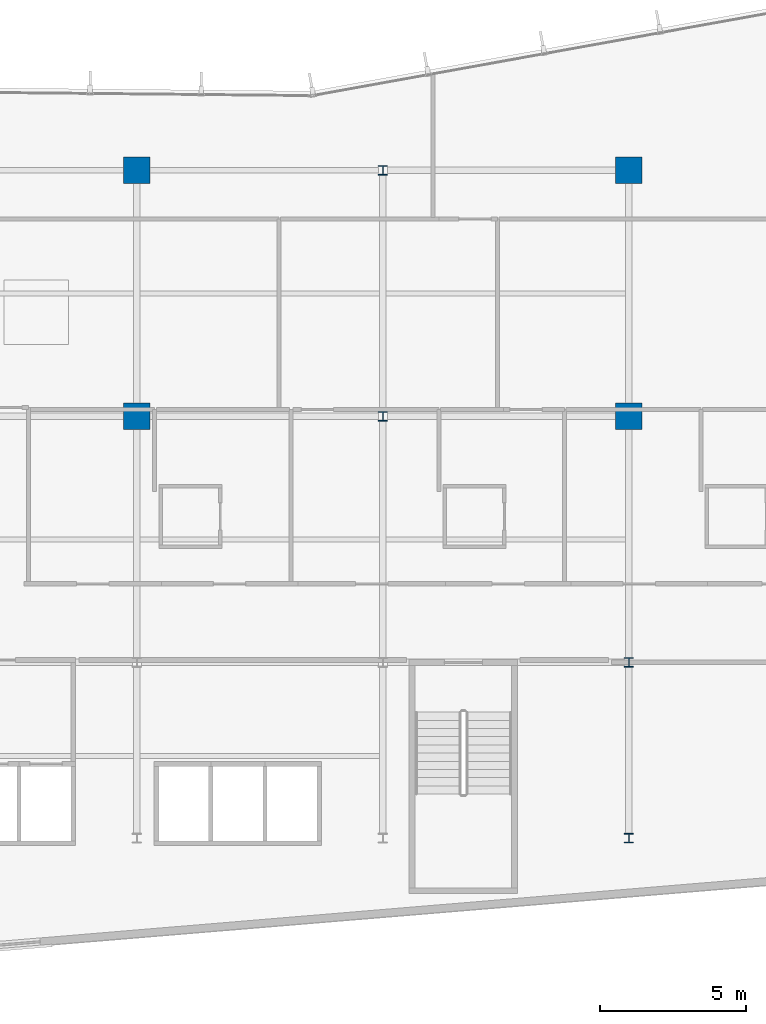
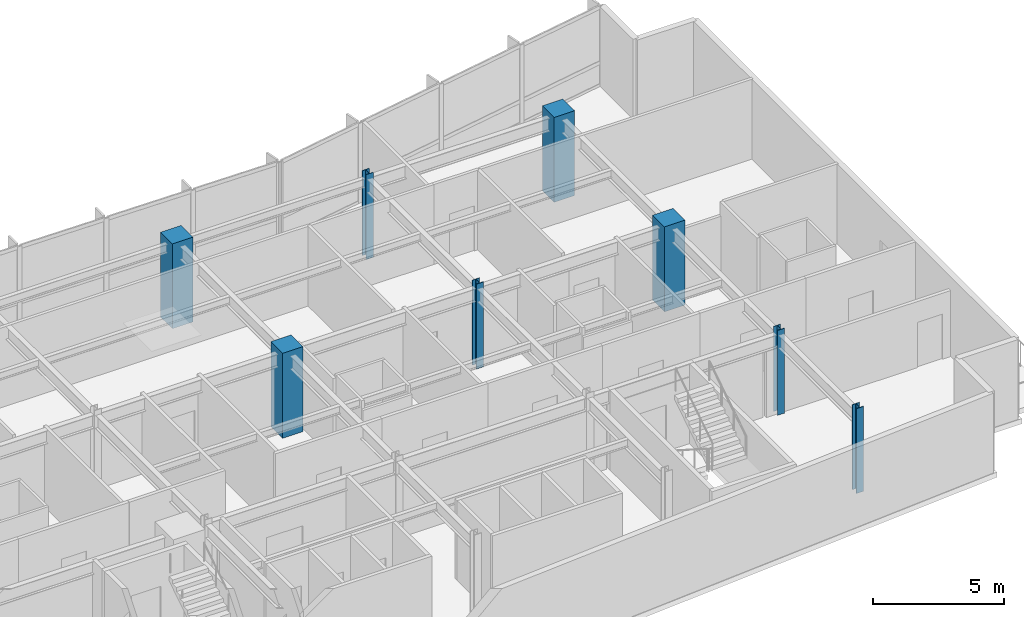
# One storey, part 2 of 19: 8 columns.
"""IFC4 building model written with IfcOpenShell, lengths in metres."""

import ifcopenshell
import ifcopenshell.guid

model = None  # the IFC model being written
_history = None  # IfcOwnerHistory: only IFC2X3 demands one
_inside = {}  # id of a spatial element -> (the spatial element, [elements in it])
_under = {}  # id of a project, library or spatial element -> (it, [spatial elements below it])
_declared = {}  # id of a project -> (the project, [libraries it declares])
_typed = {}  # id of a type object -> (the type object, [elements of that type])
_made_of = {}  # id of a material, layer set ... -> (it, [elements and type objects made of it])


def new_model(schema):
    """Start an empty IFC model of exactly this schema.

    Asked for "IFC4X3", IfcOpenShell would pick the latest addendum, in which some entities
    have other attributes; the version numbers below select the first issue.
    IFC2X3 requires an IfcOwnerHistory on every rooted entity: one is made here for all.
    """
    global model, _history
    if schema == "IFC4X3":
        model = ifcopenshell.file(schema_version=(4, 3, 0, 0))
    else:
        model = ifcopenshell.file(schema=schema)
    _inside.clear()
    _under.clear()
    _declared.clear()
    _typed.clear()
    _made_of.clear()
    _history = None
    if model.schema == "IFC2X3":
        org = make("IfcOrganization", Name="unknown")
        user = make(
            "IfcPersonAndOrganization",
            ThePerson=make("IfcPerson", FamilyName="unknown"),
            TheOrganization=org,
        )
        app = make(
            "IfcApplication",
            ApplicationDeveloper=org,
            Version="unknown",
            ApplicationFullName="unknown",
            ApplicationIdentifier="unknown",
        )
        _history = make(
            "IfcOwnerHistory",
            OwningUser=user,
            OwningApplication=app,
            ChangeAction="ADDED",
            CreationDate=0,
        )
    return model


def make(cls, **values):
    """One entity of the class cls with the attributes given. An attribute that is None is left unset."""
    return model.create_entity(
        cls, **{name: value for name, value in values.items() if value is not None}
    )


def rooted(cls, **values):
    """An entity with a GlobalId (a new one), such as an element, a storey or a relation."""
    return make(cls, GlobalId=ifcopenshell.guid.new(), OwnerHistory=_history, **values)


def si_unit(unit_type, name, prefix=None):
    """IfcSIUnit, for example si_unit("LENGTHUNIT", "METRE", prefix="MILLI")."""
    return make("IfcSIUnit", UnitType=unit_type, Prefix=prefix, Name=name)


def assignment(units):
    """IfcUnitAssignment: the units of a project."""
    return None if units is None else make("IfcUnitAssignment", Units=units)


def point(xyz):
    """IfcCartesianPoint."""
    return None if xyz is None else make("IfcCartesianPoint", Coordinates=xyz)


def direction(xyz):
    """IfcDirection."""
    return None if xyz is None else make("IfcDirection", DirectionRatios=xyz)


def frame(location, z_axis=None, x_axis=None):
    """IfcAxis2Placement3D, a coordinate frame: its origin and axes. An axis left out is left unset."""
    return make(
        "IfcAxis2Placement3D",
        Location=point(location),
        Axis=direction(z_axis),
        RefDirection=direction(x_axis),
    )


def frame_2d(location, x_axis=None):
    """IfcAxis2Placement2D, a coordinate frame in the plane: its origin and x axis."""
    return make(
        "IfcAxis2Placement2D", Location=point(location), RefDirection=direction(x_axis)
    )


def origin():
    """The frame at (0, 0, 0) with its axes left unset."""
    return frame((0.0, 0.0, 0.0))


def origin_2d():
    """The frame at (0, 0) in the plane with its x axis left unset."""
    return frame_2d((0.0, 0.0))


def place(relative_to, where):
    """IfcLocalPlacement: puts the frame where relative to a parent placement (None: the world)."""
    return make(
        "IfcLocalPlacement", PlacementRelTo=relative_to, RelativePlacement=where
    )


def context(
    kind, dimensions, precision=None, world=None, true_north=None, identifier=None
):
    """IfcGeometricRepresentationContext, for example the 3D "Model" context."""
    return make(
        "IfcGeometricRepresentationContext",
        ContextIdentifier=identifier,
        ContextType=kind,
        CoordinateSpaceDimension=dimensions,
        Precision=precision,
        WorldCoordinateSystem=world,
        TrueNorth=true_north,
    )


def subcontext(parent, identifier, kind, view, scale=None):
    """IfcGeometricRepresentationSubContext, for example "Body" below "Model"."""
    return make(
        "IfcGeometricRepresentationSubContext",
        ContextIdentifier=identifier,
        ContextType=kind,
        ParentContext=parent,
        TargetScale=scale,
        TargetView=view,
    )


def project(units=None, contexts=None):
    """IfcProject with its units and contexts."""
    return rooted(
        "IfcProject",
        Name="project",
        RepresentationContexts=contexts,
        UnitsInContext=assignment(units),
    )


def spatial(cls, under=None, at=None, **own):
    """A site, building, storey or space (cls), placed at a placement, below another one or the project."""
    s = rooted(cls, ObjectPlacement=at, **own)
    if under is not None:
        _under.setdefault(under.id(), (under, []))[1].append(s)
    return s


def profile(cls, at=None, kind="AREA", **sizes):
    """A parametric profile (cls). Its sizes go by their IFC names, for example OverallWidth=200.0."""
    return make(cls, ProfileType=kind, Position=at, **sizes)


def rectangle(**sizes):
    """IfcRectangleProfileDef."""
    return profile("IfcRectangleProfileDef", **sizes)


def i_section(**sizes):
    """IfcIShapeProfileDef."""
    return profile("IfcIShapeProfileDef", **sizes)


def extrude(swept, where, along, depth):
    """IfcExtrudedAreaSolid: the profile swept, set in the frame where, extruded along a direction by depth."""
    return make(
        "IfcExtrudedAreaSolid",
        SweptArea=swept,
        Position=where,
        ExtrudedDirection=direction(along),
        Depth=depth,
    )


def shape(context_of_items, identifier, shape_type, items):
    """IfcShapeRepresentation: the items that make up one representation, for example the "Body"."""
    return make(
        "IfcShapeRepresentation",
        ContextOfItems=context_of_items,
        RepresentationIdentifier=identifier,
        RepresentationType=shape_type,
        Items=items,
    )


def material(Name=None, Category=None):
    """IfcMaterial."""
    return make("IfcMaterial", Name=Name, Category=Category)


def material_profile(
    of_material, cross_section, Name=None, Category=None, Priority=None
):
    """IfcMaterialProfile: a cross section and its material."""
    return make(
        "IfcMaterialProfile",
        Name=Name,
        Material=of_material,
        Profile=cross_section,
        Priority=Priority,
        Category=Category,
    )


def profile_set(profiles, Name=None, composite=None):
    """IfcMaterialProfileSet."""
    return make(
        "IfcMaterialProfileSet",
        Name=Name,
        MaterialProfiles=profiles,
        CompositeProfile=composite,
    )


def made_of(thing, what):
    """Note that an element or type object is made of a material, layer set ...; save() writes the relation."""
    if what is not None:
        _made_of.setdefault(what.id(), (what, []))[1].append(thing)
    return thing


def type_object(cls, material=None, **own):
    """A type object (cls), such as IfcWallType, which elements share."""
    return made_of(rooted(cls, **own), material)


def element(
    cls,
    number,
    at=None,
    inside=None,
    cuts=None,
    type_object=None,
    material=None,
    context=None,
    identifier="Body",
    shape_type=None,
    held_by="IfcProductDefinitionShape",
    body=None,
    shapes=None,
    **own,
):
    """One element of the class cls, such as IfcWall. Its Tag is "e" and its number.

    at: its placement. inside: the storey or other place that contains it. cuts: it is an
    opening in that element (IfcRelVoidsElement). A single representation is given by context,
    identifier, shape_type and body (its items); several are given by shapes. held_by: the class
    of the entity that holds the representations. save() writes the other relations.
    """
    e = rooted(cls, Tag="e%d" % number, ObjectPlacement=at, **own)
    if body is not None:
        shapes = [shape(context, identifier, shape_type, body)]
    if shapes is not None:
        e.Representation = make(held_by, Representations=shapes)
    if inside is not None:
        _inside.setdefault(inside.id(), (inside, []))[1].append(e)
    if cuts is not None:
        rooted(
            "IfcRelVoidsElement", RelatingBuildingElement=cuts, RelatedOpeningElement=e
        )
    if type_object is not None:
        _typed.setdefault(type_object.id(), (type_object, []))[1].append(e)
    return made_of(e, material)


def aggregate(whole, parts):
    """IfcRelAggregates: a whole, such as a stair, and the parts it consists of."""
    return rooted("IfcRelAggregates", RelatingObject=whole, RelatedObjects=parts)


def save(model, path):
    """Write the relations noted so far, then the file.

    IfcRelAggregates (storeys below a building ...), IfcRelContainedInSpatialStructure (elements
    in a storey), IfcRelDefinesByType, IfcRelAssociatesMaterial and IfcRelDeclares: one each for
    every whole, place, type object, material and project.
    """
    for whole, parts in _under.values():
        aggregate(whole, parts)
    for where, things in _inside.values():
        rooted(
            "IfcRelContainedInSpatialStructure",
            RelatedElements=things,
            RelatingStructure=where,
        )
    for kind, things in _typed.values():
        rooted("IfcRelDefinesByType", RelatedObjects=things, RelatingType=kind)
    for what, things in _made_of.values():
        rooted("IfcRelAssociatesMaterial", RelatedObjects=things, RelatingMaterial=what)
    for by, libraries in _declared.values():
        rooted("IfcRelDeclares", RelatingContext=by, RelatedDefinitions=libraries)
    model.write(path)


model = new_model("IFC4")

# Units and contexts
model_context = context("Model", 3, precision=1e-05, world=origin(), true_north=direction((0.0, 1.0)))
body_context = subcontext(model_context, "Body", "Model", "MODEL_VIEW")
ifc_project = project(units=[si_unit("LENGTHUNIT", "METRE"), si_unit("AREAUNIT", "SQUARE_METRE"), si_unit("VOLUMEUNIT", "CUBIC_METRE"), si_unit("PLANEANGLEUNIT", "RADIAN"), si_unit("MASSUNIT", "GRAM", prefix="KILO")], contexts=[model_context])

# Site, building, storey
site_placement = place(None, origin())
site = spatial("IfcSite", under=ifc_project, at=site_placement, CompositionType="ELEMENT")
building_placement = place(site_placement, origin())
building = spatial("IfcBuilding", under=site, at=building_placement, Name="Varnakote Quay Hospital", CompositionType="ELEMENT")
storey_placement = place(building_placement, frame((0.0, 0.0, 89.64990234375)))
storey = spatial("IfcBuildingStorey", under=building, at=storey_placement, Name="L22", CompositionType="ELEMENT", Elevation=89.64990234375)

# Columns
ifc_material_1 = material(Name="Concrete N50 (f'c 50 MPa)", Category="concrete")
ifc_material_profile_1 = material_profile(ifc_material_1, rectangle(XDim=0.89990234375, YDim=0.89990234375, at=origin_2d()), Name="RC-COL-900x900")
ifc_profile_set_1 = profile_set([ifc_material_profile_1], Name="Concrete N50 (f'c 50 MPa)")
column_type_1 = type_object("IfcColumnType", Name="COL-RC-900", PredefinedType="COLUMN", material=ifc_profile_set_1)
for number, where, z_axis, x_axis, name in (
    (1, (33.60009765625, 20.39990234375, 0.0), (0.0, 0.0, 1.0), (1.0, 0.0, 0.0), "L22 Structural Column C-34-20"),
    (2, (50.39990234375, 20.39990234375, 0.0), (0.0, 0.0, 1.0), (1.0, 0.0, 0.0), "L22 Structural Column C-50-20"),
    (3, (33.60009765625, 28.800048828125, 0.0), (0.0, 0.0, 1.0), (1.0, 0.0, 0.0), "L22 Structural Column C-34-29"),
    (4, (50.39990234375, 28.800048828125, 0.0), (0.0, 0.0, 1.0), (1.0, 0.0, 0.0), "L22 Structural Column C-50-29"),
):
    element("IfcColumn", number, at=place(storey_placement, frame(where, z_axis=z_axis, x_axis=x_axis)), inside=storey, type_object=column_type_1, Name=name, PredefinedType="COLUMN", context=body_context, shape_type="SweptSolid", body=[
        extrude(rectangle(XDim=0.89990234375, YDim=0.89990234375, at=origin_2d()), origin(), (0.0, 0.0, 1.0), 3.9501953125),
    ])
ifc_material_2 = material(Name="Structural steel AS/NZS 3679.1 Grade 350 L0 (fy 340 MPa)", Category="steel")
ifc_material_profile_2 = material_profile(ifc_material_2, i_section(OverallWidth=0.31103515625, OverallDepth=0.326904296875, WebThickness=0.015625, FlangeThickness=0.02490234375, FilletRadius=0.0166015625, at=origin_2d()), Name="310UC158")
ifc_profile_set_2 = profile_set([ifc_material_profile_2], Name="Structural steel AS/NZS 3679.1 Grade 350 L0 (fy 340 MPa)")
column_type_2 = type_object("IfcColumnType", Name="COL-STL-310UC158", PredefinedType="COLUMN", material=ifc_profile_set_2)
for number, where, z_axis, x_axis, name in (
    (5, (50.39990234375, 6.0, 0.0), (0.0, 0.0, 1.0), (1.0, 0.0, 0.0), "L22 Structural Column C-50-6"),
    (6, (50.39990234375, 12.0, 0.0), (0.0, 0.0, 1.0), (1.0, 0.0, 0.0), "L22 Structural Column C-50-12"),
    (7, (42.0, 20.39990234375, 0.0), (0.0, 0.0, 1.0), (1.0, 0.0, 0.0), "L22 Structural Column C-42-20"),
    (8, (42.0, 28.800048828125, 0.0), (0.0, 0.0, 1.0), (1.0, 0.0, 0.0), "L22 Structural Column C-42-29"),
):
    element("IfcColumn", number, at=place(storey_placement, frame(where, z_axis=z_axis, x_axis=x_axis)), inside=storey, type_object=column_type_2, Name=name, PredefinedType="COLUMN", context=body_context, shape_type="SweptSolid", body=[
        extrude(i_section(OverallWidth=0.31103515625, OverallDepth=0.326904296875, WebThickness=0.015625, FlangeThickness=0.02490234375, FilletRadius=0.0166015625, at=origin_2d()), origin(), (0.0, 0.0, 1.0), 3.9501953125),
    ])

save(model, "model.ifc")
